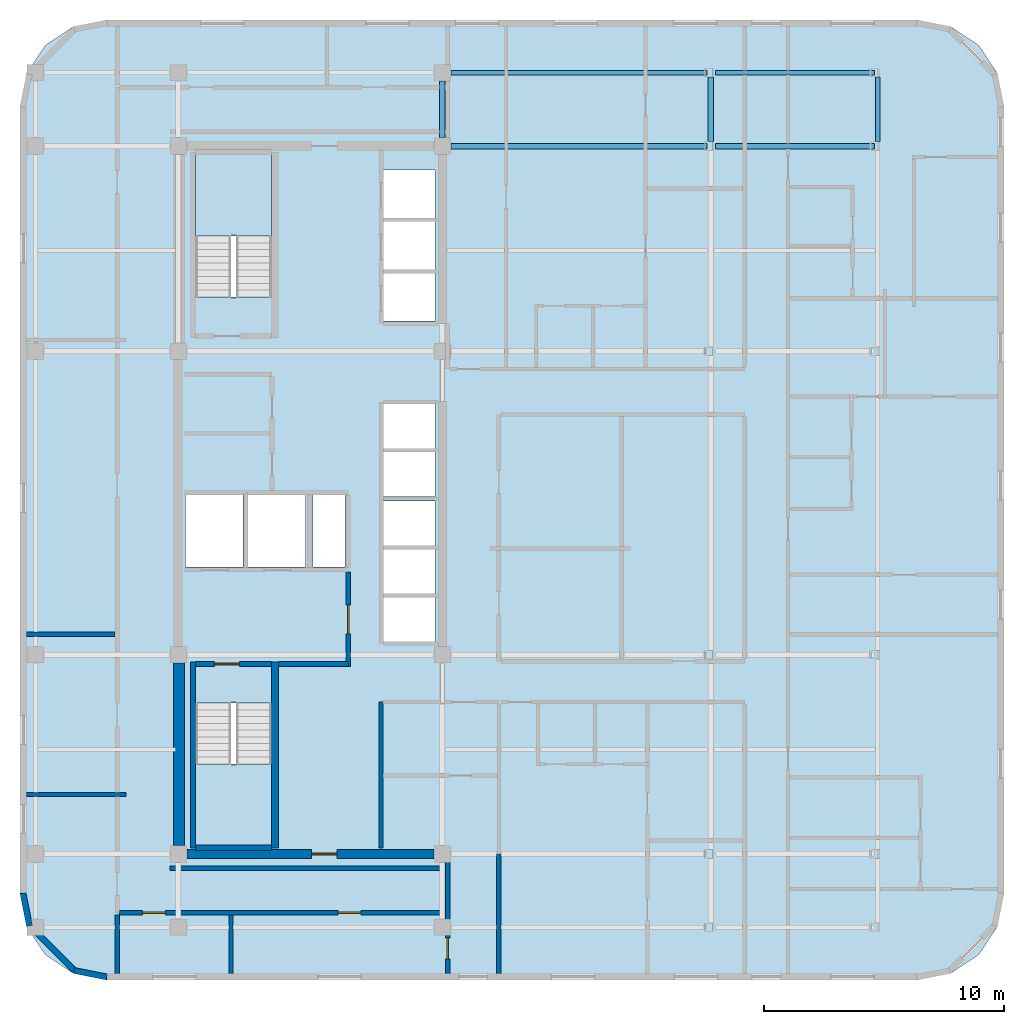
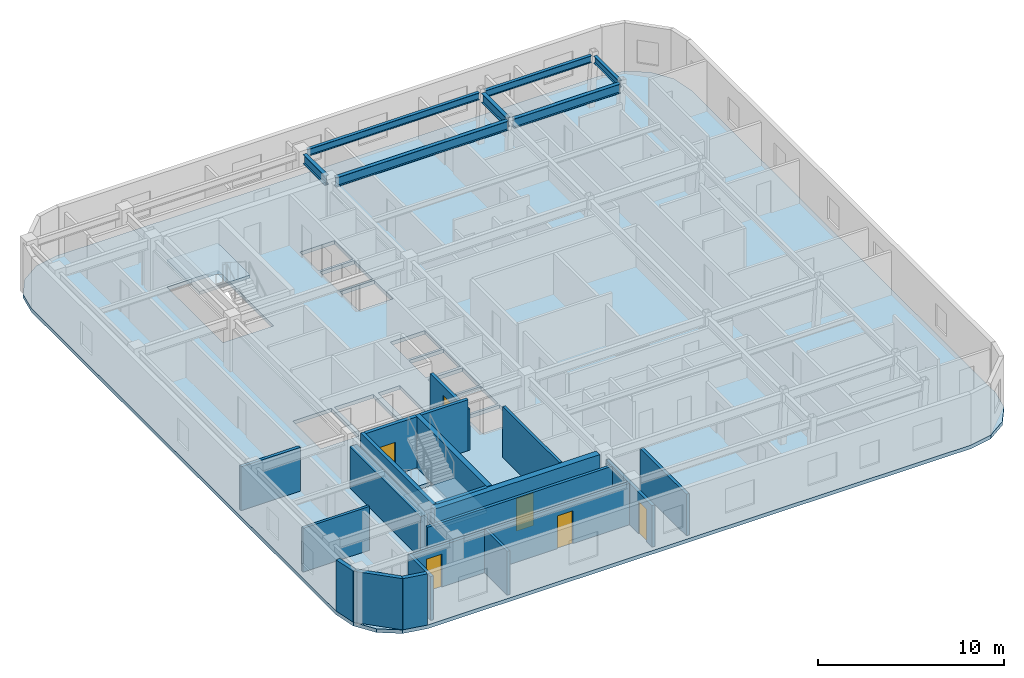
# One storey, part 2 of 8: 20 walls, 7 beams, 6 doors, 3 slabs, 6 openings, 2 elements without a shape of their own.
"""IFC4 building model written with IfcOpenShell, lengths in metres."""

from ifc_helpers import new_model, si_unit, direction, frame, frame_2d, origin, origin_2d, place, context, subcontext, project, spatial, polyline, rectangle, i_section, outline, extrude, material, layer, layer_set, material_profile, profile_set, type_object, element, fill, aggregate, save


model = new_model("IFC4")

# Units and contexts
model_context = context("Model", 3, precision=1e-05, world=origin(), true_north=direction((0.0, 1.0)))
body_context = subcontext(model_context, "Body", "Model", "MODEL_VIEW")
ifc_project = project(units=[si_unit("LENGTHUNIT", "METRE"), si_unit("AREAUNIT", "SQUARE_METRE"), si_unit("VOLUMEUNIT", "CUBIC_METRE"), si_unit("PLANEANGLEUNIT", "RADIAN"), si_unit("MASSUNIT", "GRAM", prefix="KILO")], contexts=[model_context])

# Site, building, storey
site_placement = place(None, origin())
site = spatial("IfcSite", under=ifc_project, at=site_placement, CompositionType="ELEMENT")
building_placement = place(site_placement, origin())
building = spatial("IfcBuilding", under=site, at=building_placement, Name="Ochreholt Gables", CompositionType="ELEMENT")
storey_placement = place(building_placement, frame((0.0, 0.0, 181.199951171875)))
storey = spatial("IfcBuildingStorey", under=building, at=storey_placement, Name="L47", CompositionType="ELEMENT", Elevation=181.199951171875)

# Beams
ifc_material_1 = material(Name="Steel CSA G40.21 350W", Category="steel")
ifc_material_profile_1 = material_profile(ifc_material_1, i_section(OverallWidth=0.22900390625, OverallDepth=0.612060546875, WebThickness=0.011962890625, FlangeThickness=0.01953125, at=origin_2d()), Name="W610X125")
ifc_profile_set_1 = profile_set([ifc_material_profile_1], Name="Steel CSA G40.21 350W")
beam_type_1 = type_object("IfcBeamType", Name="BM-G-W610B", PredefinedType="BEAM", material=ifc_profile_set_1)
beam_1_placement = place(storey_placement, frame((35.549560546875, 38.75, 3.053955078125), z_axis=(1.0, 0.0, 0.0), x_axis=(0.0, 1.0, 0.0)))
element("IfcBeam", 1, at=beam_1_placement, inside=storey, type_object=beam_type_1, Name="L47 Beam TBG-L47-C2EM-Y5", PredefinedType="BEAM", context=body_context, shape_type="SweptSolid", body=[
    extrude(i_section(OverallWidth=0.22900390625, OverallDepth=0.612060546875, WebThickness=0.011962890625, FlangeThickness=0.01953125, at=origin_2d()), origin(), (0.0, 0.0, 1.0), 10.6767578125),
])
beam_2_placement = place(storey_placement, frame((46.58154296875, 38.75, 3.053955078125), z_axis=(1.0, 0.0, 0.0), x_axis=(0.0, 1.0, 0.0)))
element("IfcBeam", 2, at=beam_2_placement, inside=storey, type_object=beam_type_1, Name="L47 Beam TBG-L47-EMEE-Y5", PredefinedType="BEAM", context=body_context, shape_type="SweptSolid", body=[
    extrude(i_section(OverallWidth=0.22900390625, OverallDepth=0.612060546875, WebThickness=0.011962890625, FlangeThickness=0.01953125, at=origin_2d()), origin(), (0.0, 0.0, 1.0), 6.615966796875),
])
beam_3_placement = place(storey_placement, frame((35.199951171875, 39.099609375, 3.053955078125), z_axis=(0.0, 1.0, 0.0), x_axis=(-1.0, 0.0, 0.0)))
element("IfcBeam", 3, at=beam_3_placement, inside=storey, type_object=beam_type_1, Name="L47 Beam TBN-L47-C2-Y5Y6", PredefinedType="BEAM", context=body_context, shape_type="SweptSolid", body=[
    extrude(i_section(OverallWidth=0.22900390625, OverallDepth=0.612060546875, WebThickness=0.011962890625, FlangeThickness=0.01953125, at=origin_2d()), origin(), (0.0, 0.0, 1.0), 2.350830078125),
])
beam_4_placement = place(storey_placement, frame((46.386962890625, 38.927490234375, 3.053955078125), z_axis=(0.0, 1.0, 0.0), x_axis=(-1.0, 0.0, 0.0)))
element("IfcBeam", 4, at=beam_4_placement, inside=storey, type_object=beam_type_1, Name="L47 Beam TBN-L47-EM-Y5Y6", PredefinedType="BEAM", context=body_context, shape_type="SweptSolid", body=[
    extrude(i_section(OverallWidth=0.22900390625, OverallDepth=0.612060546875, WebThickness=0.011962890625, FlangeThickness=0.01953125, at=origin_2d()), origin(), (0.0, 0.0, 1.0), 2.69482421875),
])
ifc_material_profile_2 = material_profile(ifc_material_1, i_section(OverallWidth=0.19189453125, OverallDepth=0.462890625, WebThickness=0.010498046875, FlangeThickness=0.017578125, at=origin_2d()), Name="W460X89")
ifc_profile_set_2 = profile_set([ifc_material_profile_2], Name="Steel CSA G40.21 350W")
beam_type_2 = type_object("IfcBeamType", Name="BM-SP-W460A", PredefinedType="SPANDREL", material=ifc_profile_set_2)
beam_5_placement = place(storey_placement, frame((35.549560546875, 41.800048828125, 3.128662109375), z_axis=(1.0, 0.0, 0.0), x_axis=(0.0, 1.0, 0.0)))
element("IfcBeam", 5, at=beam_5_placement, inside=storey, type_object=beam_type_2, Name="L47 Beam TBG-L47-C2EM-Y6", PredefinedType="SPANDREL", context=body_context, shape_type="SweptSolid", body=[
    extrude(i_section(OverallWidth=0.19189453125, OverallDepth=0.462890625, WebThickness=0.010498046875, FlangeThickness=0.017578125, at=origin_2d()), origin(), (0.0, 0.0, 1.0), 10.6767578125),
])
beam_6_placement = place(storey_placement, frame((46.58154296875, 41.800048828125, 3.128662109375), z_axis=(1.0, 0.0, 0.0), x_axis=(0.0, 1.0, 0.0)))
element("IfcBeam", 6, at=beam_6_placement, inside=storey, type_object=beam_type_2, Name="L47 Beam TBG-L47-EMEE-Y6", PredefinedType="SPANDREL", context=body_context, shape_type="SweptSolid", body=[
    extrude(i_section(OverallWidth=0.19189453125, OverallDepth=0.462890625, WebThickness=0.010498046875, FlangeThickness=0.017578125, at=origin_2d()), origin(), (0.0, 0.0, 1.0), 6.615966796875),
])
beam_7_placement = place(storey_placement, frame((53.3466796875, 38.927490234375, 3.128662109375), z_axis=(0.0, 1.0, 0.0), x_axis=(-1.0, 0.0, 0.0)))
element("IfcBeam", 7, at=beam_7_placement, inside=storey, type_object=beam_type_2, Name="L47 Beam TBN-L47-EE-Y5Y6", PredefinedType="SPANDREL", context=body_context, shape_type="SweptSolid", body=[
    extrude(i_section(OverallWidth=0.19189453125, OverallDepth=0.462890625, WebThickness=0.010498046875, FlangeThickness=0.017578125, at=origin_2d()), origin(), (0.0, 0.0, 1.0), 2.69482421875),
])

# Stair, slab
ifc_material_2 = material(Name="Concrete 40 MPa", Category="concrete")
stair_type_1 = type_object("IfcStairType", Name="STAIR-CORE-ST-1", PredefinedType="HALF_TURN_STAIR", material=ifc_material_2)
stair_1_placement = place(storey_placement, origin())
stair_1 = element("IfcStair", 8, at=stair_1_placement, inside=storey, type_object=stair_type_1, Name="L47 Core Exit Stair 1", PredefinedType="HALF_TURN_STAIR")
ifc_layer_1 = layer(ifc_material_2, 0.199951171875, Name="Concrete 40 MPa")
ifc_layer_set_1 = layer_set([ifc_layer_1], Name="Concrete 40 MPa")
slab_type_1 = type_object("IfcSlabType", Name="LANDING-RC200", PredefinedType="LANDING", material=ifc_layer_set_1)
slab_1_placement = place(storey_placement, frame((0.0, 0.0, 1.60009765625)))
slab_1 = element("IfcSlab", 9, at=slab_1_placement, type_object=slab_type_1, Name="ST-1 landing 1", PredefinedType="LANDING", context=body_context, shape_type="SweptSolid", body=[
    extrude(outline(polyline([(24.919921875, 13.001953125), (24.919921875, 9.52001953125), (28.080078125, 9.52001953125), (28.080078125, 13.001953125), (24.919921875, 13.001953125)])), origin(), (0.0, 0.0, 1.0), 0.199951171875),
])
aggregate(stair_1, [slab_1])

stair_type_2 = type_object("IfcStairType", Name="STAIR-CORE-ST-2", PredefinedType="HALF_TURN_STAIR", material=ifc_material_2)
stair_2_placement = place(storey_placement, origin())
stair_2 = element("IfcStair", 10, at=stair_2_placement, inside=storey, type_object=stair_type_2, Name="L47 Core Exit Stair 2", PredefinedType="HALF_TURN_STAIR")
slab_2_placement = place(storey_placement, frame((0.0, 0.0, 1.60009765625)))
slab_2 = element("IfcSlab", 11, at=slab_2_placement, type_object=slab_type_1, Name="ST-2 landing 1", PredefinedType="LANDING", context=body_context, shape_type="SweptSolid", body=[
    extrude(outline(polyline([(28.080078125, 34.998046875), (28.080078125, 38.47998046875), (24.919921875, 38.47998046875), (24.919921875, 34.998046875), (28.080078125, 34.998046875)])), origin(), (0.0, 0.0, 1.0), 0.199951171875),
])
aggregate(stair_2, [slab_2])

# Slab
ifc_layer_2 = layer(ifc_material_2, 0.239990234375, Name="Concrete 40 MPa")
ifc_layer_set_2 = layer_set([ifc_layer_2], Name="Concrete 40 MPa")
slab_type_2 = type_object("IfcSlabType", Name="SLAB-TWR-240", PredefinedType="FLOOR", material=ifc_layer_set_2)
slab_3_placement = place(storey_placement, frame((0.0, 0.0, -0.239990234375)))
element("IfcSlab", 12, at=slab_3_placement, inside=storey, type_object=slab_type_2, Name="L47 Structural Floor Slab", PredefinedType="FLOOR", context=body_context, shape_type="SweptSolid", body=[
    extrude(outline(polyline([(17.60009765625, 7.60009765625), (17.8740234375, 6.222412109375), (18.654296875, 5.054443359375), (19.822265625, 4.27392578125), (21.199951171875, 4.0), (55.0, 4.0), (56.377685546875, 4.27392578125), (57.545654296875, 5.054443359375), (58.325927734375, 6.222412109375), (58.60009765625, 7.60009765625), (58.60009765625, 40.39990234375), (58.325927734375, 41.777587890625), (57.545654296875, 42.945556640625), (56.377685546875, 43.72607421875), (55.0, 44.0), (21.199951171875, 44.0), (19.822265625, 43.72607421875), (18.654296875, 42.945556640625), (17.8740234375, 41.777587890625), (17.60009765625, 40.39990234375), (17.60009765625, 7.60009765625)]), holes=[polyline([(24.919921875, 15.539306640625), (24.919921875, 9.52001953125), (28.080078125, 9.52001953125), (28.080078125, 15.539306640625), (24.919921875, 15.539306640625)]), polyline([(28.080078125, 32.460693359375), (28.080078125, 38.47998046875), (24.919921875, 38.47998046875), (24.919921875, 32.460693359375), (28.080078125, 32.460693359375)]), polyline([(24.5, 21.199951171875), (26.89990234375, 21.199951171875), (26.89990234375, 24.199951171875), (24.5, 24.199951171875), (24.5, 21.199951171875)]), polyline([(27.10009765625, 21.199951171875), (29.5, 21.199951171875), (29.5, 24.199951171875), (27.10009765625, 24.199951171875), (27.10009765625, 21.199951171875)]), polyline([(32.75, 18.10009765625), (34.89990234375, 18.10009765625), (34.89990234375, 19.949951171875), (32.75, 19.949951171875), (32.75, 18.10009765625)]), polyline([(32.75, 20.10009765625), (34.89990234375, 20.10009765625), (34.89990234375, 21.949951171875), (32.75, 21.949951171875), (32.75, 20.10009765625)]), polyline([(32.75, 22.10009765625), (34.89990234375, 22.10009765625), (34.89990234375, 23.949951171875), (32.75, 23.949951171875), (32.75, 22.10009765625)]), polyline([(32.75, 24.14990234375), (34.89990234375, 24.14990234375), (34.89990234375, 26.0), (32.75, 26.0), (32.75, 24.14990234375)]), polyline([(32.75, 26.14990234375), (34.89990234375, 26.14990234375), (34.89990234375, 28.0), (32.75, 28.0), (32.75, 26.14990234375)]), polyline([(32.75, 31.449951171875), (34.89990234375, 31.449951171875), (34.89990234375, 33.449951171875), (32.75, 33.449951171875), (32.75, 31.449951171875)]), polyline([(32.75, 33.60009765625), (34.89990234375, 33.60009765625), (34.89990234375, 35.60009765625), (32.75, 35.60009765625), (32.75, 33.60009765625)]), polyline([(32.75, 35.75), (34.89990234375, 35.75), (34.89990234375, 37.75), (32.75, 37.75), (32.75, 35.75)]), polyline([(29.800048828125, 21.199951171875), (31.14990234375, 21.199951171875), (31.14990234375, 24.199951171875), (29.800048828125, 24.199951171875), (29.800048828125, 21.199951171875)])]), origin(), (0.0, 0.0, 1.0), 0.239990234375),
])

# Wall, opening, door
ifc_material_3 = material(Name="Concrete 50 MPa", Category="concrete")
ifc_layer_3 = layer(ifc_material_3, 0.3798828125, Name="Concrete 50 MPa")
ifc_layer_set_3 = layer_set([ifc_layer_3], Name="Concrete 50 MPa")
wall_type_1 = type_object("IfcWallType", Name="WALL-CSW-380", PredefinedType="SHEAR", material=ifc_layer_set_3)
wall_1_placement = place(storey_placement, frame((24.550048828125, 9.25, 0.0), z_axis=(0.0, 0.0, 1.0), x_axis=(1.0, 0.0, 0.0)))
wall_1 = element("IfcWall", 13, at=wall_1_placement, inside=storey, type_object=wall_type_1, Name="L47 Core South Shear Wall", PredefinedType="SHEAR", context=body_context, shape_type="SweptSolid", body=[
    extrude(rectangle(XDim=10.300048828125, YDim=0.3798828125, at=frame_2d((5.14990234375, 0.0))), origin(), (0.0, 0.0, 1.0), 3.360107421875),
])
opening_1_placement = place(wall_1_placement, frame((5.199951171875, 0.0, 0.0)))
opening_1 = element("IfcOpeningElement", 14, at=opening_1_placement, cuts=wall_1, Name="Opening D-FLB", PredefinedType="OPENING", context=body_context, shape_type="SweptSolid", body=[
    extrude(rectangle(XDim=1.050048828125, YDim=2.14990234375, at=frame_2d((0.52490234375, 1.074951171875))), frame((0.0, 0.199951171875, 0.0), z_axis=(0.0, -1.0, 0.0), x_axis=(1.0, 0.0, 0.0)), (0.0, 0.0, 1.0), 0.39990234375),
])
ifc_material_4 = material(Name="Hollow Metal Steel", Category="steel")
door_type_1 = type_object("IfcDoorType", Name="DR-INT-FLB1050", OperationType="NOTDEFINED", PredefinedType="DOOR", material=ifc_material_4)
door_1_placement = place(opening_1_placement, origin())
door_1 = element("IfcDoor", 15, at=door_1_placement, inside=storey, type_object=door_type_1, Name="L47 Door D-C2CRS-L47", OperationType="SINGLE_SWING_LEFT", OverallHeight=2.14990234375, OverallWidth=1.050048828125, PredefinedType="DOOR", context=body_context, shape_type="SweptSolid", body=[
    extrude(rectangle(XDim=1.050048828125, YDim=2.14990234375, at=frame_2d((0.52490234375, 1.074951171875))), frame((0.0, 0.02490234375, 0.0), z_axis=(0.0, -1.0, 0.0), x_axis=(1.0, 0.0, 0.0)), (0.0, 0.0, 1.0), 0.050048828125),
])
fill(opening_1, door_1)

# Walls
ifc_material_5 = material(Name="Concrete 60 MPa", Category="concrete")
ifc_layer_4 = layer(ifc_material_5, 0.449951171875, Name="Concrete 60 MPa")
ifc_layer_set_4 = layer_set([ifc_layer_4], Name="Concrete 60 MPa")
wall_type_2 = type_object("IfcWallType", Name="WALL-CSW-450", PredefinedType="SHEAR", material=ifc_layer_set_4)
wall_2_placement = place(storey_placement, frame((24.22509765625, 9.60009765625, 0.0), z_axis=(0.0, 0.0, 1.0), x_axis=(0.0, 1.0, 0.0)))
element("IfcWall", 16, at=wall_2_placement, inside=storey, type_object=wall_type_2, Name="L47 Core West Shear Wall WS", PredefinedType="SHEAR", context=body_context, shape_type="SweptSolid", body=[
    extrude(rectangle(XDim=7.599853515625, YDim=0.449951171875, at=frame_2d((3.7998046875, 0.0))), origin(), (0.0, 0.0, 1.0), 2.748046875),
])
ifc_material_6 = material(Name="Precast concrete 40 MPa", Category="concrete")
ifc_layer_5 = layer(ifc_material_6, 0.25, Name="Precast concrete 40 MPa")
ifc_layer_set_5 = layer_set([ifc_layer_5], Name="Precast concrete 40 MPa")
wall_type_3 = type_object("IfcWallType", Name="WALL-EXT-CNR", PredefinedType="SOLIDWALL", material=ifc_layer_set_5)
wall_3_placement = place(storey_placement, frame((17.72412109375, 7.616455078125, 0.0), z_axis=(0.0, 0.0, 1.0), x_axis=(0.195135625965, -0.9807762678, 0.0)))
element("IfcWall", 17, at=wall_3_placement, inside=storey, type_object=wall_type_3, Name="L47 Rounded Corner Wall SW-1", PredefinedType="SOLIDWALL", context=body_context, shape_type="SweptSolid", body=[
    extrude(rectangle(XDim=1.388671875, YDim=0.25, at=frame_2d((0.6943359375, 0.0))), origin(), (0.0, 0.0, 1.0), 3.360107421875),
])
wall_4_placement = place(storey_placement, frame((17.968017578125, 6.304931640625, 0.0), z_axis=(0.0, 0.0, 1.0), x_axis=(0.707106781187, -0.707106781187, 0.0)))
element("IfcWall", 18, at=wall_4_placement, inside=storey, type_object=wall_type_3, Name="L47 Rounded Corner Wall SW-2", PredefinedType="SOLIDWALL", context=body_context, shape_type="SweptSolid", body=[
    extrude(rectangle(XDim=2.7392578125, YDim=0.25, at=frame_2d((1.36962890625, 0.0))), origin(), (0.0, 0.0, 1.0), 3.360107421875),
])
wall_5_placement = place(storey_placement, frame((19.8544921875, 4.39501953125, 0.0), z_axis=(0.0, 0.0, 1.0), x_axis=(0.980809899341, -0.19496651342, 0.0)))
element("IfcWall", 19, at=wall_5_placement, inside=storey, type_object=wall_type_3, Name="L47 Rounded Corner Wall SW-3", PredefinedType="SOLIDWALL", context=body_context, shape_type="SweptSolid", body=[
    extrude(rectangle(XDim=1.388671875, YDim=0.25, at=frame_2d((0.6943359375, 0.0))), origin(), (0.0, 0.0, 1.0), 3.360107421875),
])
ifc_layer_6 = layer(ifc_material_2, 0.199951171875, Name="Concrete 40 MPa")
ifc_layer_set_6 = layer_set([ifc_layer_6], Name="Concrete 40 MPa")
wall_type_4 = type_object("IfcWallType", Name="WALL-INT-CF200", PredefinedType="STANDARD", material=ifc_layer_set_6)
wall_6_placement = place(storey_placement, frame((28.3798828125, 17.169921875, 0.0), z_axis=(0.0, 0.0, 1.0), x_axis=(1.0, 0.0, 0.0)))
element("IfcWall", 20, at=wall_6_placement, inside=storey, type_object=wall_type_4, Name="L47 Interior Wall WI-FFS-L47", PredefinedType="STANDARD", context=body_context, shape_type="SweptSolid", body=[
    extrude(rectangle(XDim=2.900146484375, YDim=0.199951171875, at=frame_2d((1.4501953125, 0.0))), origin(), (0.0, 0.0, 1.0), 3.360107421875),
])

# Wall, opening, door
wall_7_placement = place(storey_placement, frame((31.280029296875, 17.070068359375, 0.0), z_axis=(0.0, 0.0, 1.0), x_axis=(0.0, 1.0, 0.0)))
wall_7 = element("IfcWall", 21, at=wall_7_placement, inside=storey, type_object=wall_type_4, Name="L47 Interior Wall WI-FFE-L47", PredefinedType="STANDARD", context=body_context, shape_type="SweptSolid", body=[
    extrude(rectangle(XDim=3.919921875, YDim=0.199951171875, at=frame_2d((1.9599609375, 0.0))), origin(), (0.0, 0.0, 1.0), 2.72998046875),
])
opening_2_placement = place(wall_7_placement, frame((1.35009765625, 0.0, 0.0)))
opening_2 = element("IfcOpeningElement", 22, at=opening_2_placement, cuts=wall_7, Name="Opening D-FFL", PredefinedType="OPENING", context=body_context, shape_type="SweptSolid", body=[
    extrude(rectangle(XDim=1.199951171875, YDim=2.14990234375, at=frame_2d((0.60009765625, 1.074951171875))), frame((0.0, 0.10986328125, 0.0), z_axis=(0.0, -1.0, 0.0), x_axis=(1.0, 0.0, 0.0)), (0.0, 0.0, 1.0), 0.219970703125),
])
door_type_2 = type_object("IfcDoorType", Name="DR-INT-FFL1200", OperationType="NOTDEFINED", PredefinedType="DOOR", material=ifc_material_4)
door_2_placement = place(opening_2_placement, origin())
door_2 = element("IfcDoor", 23, at=door_2_placement, inside=storey, type_object=door_type_2, Name="L47 Door D-FFL-L47", OperationType="SINGLE_SWING_LEFT", OverallHeight=2.14990234375, OverallWidth=1.199951171875, PredefinedType="DOOR", context=body_context, shape_type="SweptSolid", body=[
    extrude(rectangle(XDim=1.199951171875, YDim=2.14990234375, at=frame_2d((0.60009765625, 1.074951171875))), frame((0.0, 0.02490234375, 0.0), z_axis=(0.0, -1.0, 0.0), x_axis=(1.0, 0.0, 0.0)), (0.0, 0.0, 1.0), 0.050048828125),
])
fill(opening_2, door_2)

# Wall, openings, doors
ifc_material_7 = material(Name="Fire-Rated Gypsum Acoustic Partition", Category="gypsum")
ifc_layer_7 = layer(ifc_material_7, 0.179931640625, Name="Fire-Rated Gypsum Acoustic Partition")
ifc_layer_set_7 = layer_set([ifc_layer_7], Name="Fire-Rated Gypsum Acoustic Partition")
wall_type_5 = type_object("IfcWallType", Name="WALL-INT-CR180", PredefinedType="STANDARD", material=ifc_layer_set_7)
wall_8_placement = place(storey_placement, frame((21.739990234375, 6.800048828125, 0.0), z_axis=(0.0, 0.0, 1.0), x_axis=(1.0, 0.0, 0.0)))
wall_8 = element("IfcWall", 24, at=wall_8_placement, inside=storey, type_object=wall_type_5, Name="L47 Interior Wall WI-C2WCS-L47", PredefinedType="STANDARD", context=body_context, shape_type="SweptSolid", body=[
    extrude(rectangle(XDim=13.679931640625, YDim=0.179931640625, at=frame_2d((6.83984375, 0.0))), origin(), (0.0, 0.0, 1.0), 2.72998046875),
])
opening_3_placement = place(wall_8_placement, frame((0.969970703125, 0.0, 0.0)))
opening_3 = element("IfcOpeningElement", 25, at=opening_3_placement, cuts=wall_8, Name="Opening D-GN1", PredefinedType="OPENING", context=body_context, shape_type="SweptSolid", body=[
    extrude(rectangle(XDim=0.949951171875, YDim=2.14990234375, at=frame_2d((0.47509765625, 1.074951171875))), frame((0.0, 0.099853515625, 0.0), z_axis=(0.0, -1.0, 0.0), x_axis=(1.0, 0.0, 0.0)), (0.0, 0.0, 1.0), 0.199951171875),
])
opening_4_placement = place(wall_8_placement, frame((9.110107421875, 0.0, 0.0)))
opening_4 = element("IfcOpeningElement", 26, at=opening_4_placement, cuts=wall_8, Name="Opening D-GN1", PredefinedType="OPENING", context=body_context, shape_type="SweptSolid", body=[
    extrude(rectangle(XDim=0.949951171875, YDim=2.14990234375, at=frame_2d((0.47509765625, 1.074951171875))), frame((0.0, 0.099853515625, 0.0), z_axis=(0.0, -1.0, 0.0), x_axis=(1.0, 0.0, 0.0)), (0.0, 0.0, 1.0), 0.199951171875),
])
ifc_material_8 = material(Name="Engineered Oak Timber", Category="wood")
door_type_3 = type_object("IfcDoorType", Name="DR-INT-GEN950", OperationType="NOTDEFINED", PredefinedType="DOOR", material=ifc_material_8)
door_3_placement = place(opening_3_placement, origin())
door_3 = element("IfcDoor", 27, at=door_3_placement, inside=storey, type_object=door_type_3, Name="L47 Door D-C2STL1-L47", OperationType="SINGLE_SWING_LEFT", OverallHeight=2.14990234375, OverallWidth=0.949951171875, PredefinedType="DOOR", context=body_context, shape_type="SweptSolid", body=[
    extrude(rectangle(XDim=0.949951171875, YDim=2.14990234375, at=frame_2d((0.47509765625, 1.074951171875))), frame((0.0, 0.02490234375, 0.0), z_axis=(0.0, -1.0, 0.0), x_axis=(1.0, 0.0, 0.0)), (0.0, 0.0, 1.0), 0.050048828125),
])
fill(opening_3, door_3)
door_4_placement = place(opening_4_placement, origin())
door_4 = element("IfcDoor", 28, at=door_4_placement, inside=storey, type_object=door_type_3, Name="L47 Door D-C2STL2-L47", OperationType="SINGLE_SWING_RIGHT", OverallHeight=2.14990234375, OverallWidth=0.949951171875, PredefinedType="DOOR", context=body_context, shape_type="SweptSolid", body=[
    extrude(rectangle(XDim=0.949951171875, YDim=2.14990234375, at=frame_2d((0.47509765625, 1.074951171875))), frame((0.0, 0.02490234375, 0.0), z_axis=(0.0, -1.0, 0.0), x_axis=(1.0, 0.0, 0.0)), (0.0, 0.0, 1.0), 0.050048828125),
])
fill(opening_4, door_4)

# Walls
wall_9_placement = place(storey_placement, frame((23.85009765625, 8.64990234375, 0.0), z_axis=(0.0, 0.0, 1.0), x_axis=(1.0, 0.0, 0.0)))
element("IfcWall", 29, at=wall_9_placement, inside=storey, type_object=wall_type_5, Name="L47 Interior Wall WI-C2WCS2-L47", PredefinedType="STANDARD", context=body_context, shape_type="SweptSolid", body=[
    extrude(rectangle(XDim=11.56982421875, YDim=0.179931640625, at=frame_2d((5.784912109375, 0.0))), origin(), (0.0, 0.0, 1.0), 2.72998046875),
])
ifc_material_9 = material(Name="Double-Stud Acoustic Demising Wall", Category="gypsum")
ifc_layer_8 = layer(ifc_material_9, 0.179931640625, Name="Double-Stud Acoustic Demising Wall")
ifc_layer_set_8 = layer_set([ifc_layer_8], Name="Double-Stud Acoustic Demising Wall")
wall_type_6 = type_object("IfcWallType", Name="WALL-INT-DM180", PredefinedType="PARTITIONING", material=ifc_layer_set_8)
wall_10_placement = place(storey_placement, frame((21.64990234375, 4.280029296875, 0.0), z_axis=(0.0, 0.0, 1.0), x_axis=(0.0, 1.0, 0.0)))
element("IfcWall", 30, at=wall_10_placement, inside=storey, type_object=wall_type_6, Name="L47 Interior Wall WI-C2WWS-L47", PredefinedType="PARTITIONING", context=body_context, shape_type="SweptSolid", body=[
    extrude(rectangle(XDim=2.429931640625, YDim=0.179931640625, at=frame_2d((1.21484375, 0.0))), origin(), (0.0, 0.0, 1.0), 2.879150390625),
])

# Wall, opening, door
wall_11_placement = place(storey_placement, frame((35.419921875, 4.280029296875, 0.0), z_axis=(0.0, 0.0, 1.0), x_axis=(0.0, 1.0, 0.0)))
wall_11 = element("IfcWall", 31, at=wall_11_placement, inside=storey, type_object=wall_type_6, Name="L47 Interior Wall WI-C2SES-L47", PredefinedType="PARTITIONING", context=body_context, shape_type="SweptSolid", body=[
    extrude(rectangle(XDim=4.969970703125, YDim=0.179931640625, at=frame_2d((2.48486328125, 0.0))), origin(), (0.0, 0.0, 1.0), 2.72998046875),
])
opening_5_placement = place(wall_11_placement, frame((0.590087890625, 0.0, 0.0)))
opening_5 = element("IfcOpeningElement", 32, at=opening_5_placement, cuts=wall_11, Name="Opening D-GN2", PredefinedType="OPENING", context=body_context, shape_type="SweptSolid", body=[
    extrude(rectangle(XDim=0.8798828125, YDim=2.1201171875, at=frame_2d((0.43994140625, 1.06005859375))), frame((0.0, 0.099853515625, 0.0), z_axis=(0.0, -1.0, 0.0), x_axis=(1.0, 0.0, 0.0)), (0.0, 0.0, 1.0), 0.199951171875),
])
door_type_4 = type_object("IfcDoorType", Name="DR-INT-GEN880", OperationType="NOTDEFINED", PredefinedType="DOOR", material=ifc_material_8)
door_5_placement = place(opening_5_placement, origin())
door_5 = element("IfcDoor", 33, at=door_5_placement, inside=storey, type_object=door_type_4, Name="L47 Door D-C2SPS-L47", OperationType="SINGLE_SWING_LEFT", OverallHeight=2.1201171875, OverallWidth=0.8798828125, PredefinedType="DOOR", context=body_context, shape_type="SweptSolid", body=[
    extrude(rectangle(XDim=0.8798828125, YDim=2.1201171875, at=frame_2d((0.43994140625, 1.06005859375))), frame((0.0, 0.02490234375, 0.0), z_axis=(0.0, -1.0, 0.0), x_axis=(1.0, 0.0, 0.0)), (0.0, 0.0, 1.0), 0.050048828125),
])
fill(opening_5, door_5)

# Walls
wall_12_placement = place(storey_placement, frame((37.550048828125, 4.280029296875, 0.0), z_axis=(0.0, 0.0, 1.0), x_axis=(0.0, 1.0, 0.0)))
element("IfcWall", 34, at=wall_12_placement, inside=storey, type_object=wall_type_6, Name="L47 Interior Wall WI-C2SEW2-L47", PredefinedType="PARTITIONING", context=body_context, shape_type="SweptSolid", body=[
    extrude(rectangle(XDim=4.969970703125, YDim=0.179931640625, at=frame_2d((2.48486328125, 0.0))), origin(), (0.0, 0.0, 1.0), 2.72998046875),
])
wall_13_placement = place(storey_placement, frame((17.8798828125, 18.39990234375, 0.0), z_axis=(0.0, 0.0, 1.0), x_axis=(1.0, 0.0, 0.0)))
element("IfcWall", 35, at=wall_13_placement, inside=storey, type_object=wall_type_6, Name="L47 Interior Wall WI-C2UDW2-L47", PredefinedType="PARTITIONING", context=body_context, shape_type="SweptSolid", body=[
    extrude(rectangle(XDim=3.68017578125, YDim=0.179931640625, at=frame_2d((1.840087890625, 0.0))), origin(), (0.0, 0.0, 1.0), 2.879150390625),
])
ifc_material_10 = material(Name="Gypsum Acoustic Stud Partition", Category="gypsum")
ifc_layer_9 = layer(ifc_material_10, 0.1650390625, Name="Gypsum Acoustic Stud Partition")
ifc_layer_set_9 = layer_set([ifc_layer_9], Name="Gypsum Acoustic Stud Partition")
wall_type_7 = type_object("IfcWallType", Name="WALL-INT-PT165", PredefinedType="PARTITIONING", material=ifc_layer_set_9)
wall_14_placement = place(storey_placement, frame((32.64990234375, 9.5, 0.0), z_axis=(0.0, 0.0, 1.0), x_axis=(0.0, 1.0, 0.0)))
element("IfcWall", 36, at=wall_14_placement, inside=storey, type_object=wall_type_7, Name="L47 Interior Wall WI-RCL-W-L47", PredefinedType="PARTITIONING", context=body_context, shape_type="SweptSolid", body=[
    extrude(rectangle(XDim=6.080078125, YDim=0.1650390625, at=frame_2d((3.0400390625, 0.0))), origin(), (0.0, 0.0, 1.0), 3.360107421875),
])
wall_15_placement = place(storey_placement, frame((17.8798828125, 11.72509765625, 0.0), z_axis=(0.0, 0.0, 1.0), x_axis=(1.0, 0.0, 0.0)))
element("IfcWall", 37, at=wall_15_placement, inside=storey, type_object=wall_type_7, Name="L47 Interior Wall WU-L47W1-SDV", PredefinedType="PARTITIONING", context=body_context, shape_type="SweptSolid", body=[
    extrude(rectangle(XDim=4.130126953125, YDim=0.1650390625, at=frame_2d((2.06494140625, 0.0))), origin(), (0.0, 0.0, 1.0), 2.879150390625),
])
wall_16_placement = place(storey_placement, frame((26.39990234375, 4.280029296875, 0.0), z_axis=(0.0, 0.0, 1.0), x_axis=(0.0, 1.0, 0.0)))
element("IfcWall", 38, at=wall_16_placement, inside=storey, type_object=wall_type_7, Name="L47 Interior Wall WI-C2PKS-L47", PredefinedType="PARTITIONING", context=body_context, shape_type="SweptSolid", body=[
    extrude(rectangle(XDim=2.429931640625, YDim=0.1650390625, at=frame_2d((1.21484375, 0.0))), origin(), (0.0, 0.0, 1.0), 2.879150390625),
])
ifc_layer_10 = layer(ifc_material_5, 0.300048828125, Name="Concrete 60 MPa")
ifc_layer_set_10 = layer_set([ifc_layer_10], Name="Concrete 60 MPa")
wall_type_8 = type_object("IfcWallType", Name="WALL-SPN-300", PredefinedType="SHEAR", material=ifc_layer_set_10)
wall_17_placement = place(storey_placement, frame((28.22998046875, 9.5, 0.0), z_axis=(0.0, 0.0, 1.0), x_axis=(0.0, 1.0, 0.0)))
element("IfcWall", 39, at=wall_17_placement, inside=storey, type_object=wall_type_8, Name="L47 Core South Spine Shear Wall", PredefinedType="SHEAR", context=body_context, shape_type="SweptSolid", body=[
    extrude(rectangle(XDim=7.760009765625, YDim=0.300048828125, at=frame_2d((3.8798828125, 0.0))), origin(), (0.0, 0.0, 1.0), 3.360107421875),
])
ifc_layer_11 = layer(ifc_material_3, 0.219970703125, Name="Concrete 50 MPa")
ifc_layer_set_11 = layer_set([ifc_layer_11], Name="Concrete 50 MPa")
wall_type_9 = type_object("IfcWallType", Name="WALL-STW-220", PredefinedType="SHEAR", material=ifc_layer_set_11)
wall_18_placement = place(storey_placement, frame((24.81005859375, 9.5, 0.0), z_axis=(0.0, 0.0, 1.0), x_axis=(0.0, 1.0, 0.0)))
element("IfcWall", 40, at=wall_18_placement, inside=storey, type_object=wall_type_9, Name="L47 Exit Stair 1 West Wall", PredefinedType="SHEAR", context=body_context, shape_type="SweptSolid", body=[
    extrude(rectangle(XDim=7.760009765625, YDim=0.219970703125, at=frame_2d((3.8798828125, 0.0))), origin(), (0.0, 0.0, 1.0), 3.360107421875),
])
wall_19_placement = place(storey_placement, frame((24.919921875, 9.510009765625, 0.0), z_axis=(0.0, 0.0, 1.0), x_axis=(1.0, 0.0, 0.0)))
element("IfcWall", 41, at=wall_19_placement, inside=storey, type_object=wall_type_9, Name="L47 Exit Stair 1 South Wall", PredefinedType="SHEAR", context=body_context, shape_type="SweptSolid", body=[
    extrude(rectangle(XDim=3.16015625, YDim=0.219970703125, at=frame_2d((1.580078125, 0.0))), origin(), (0.0, 0.0, 1.0), 3.360107421875),
])

# Wall, opening, door
wall_20_placement = place(storey_placement, frame((24.919921875, 17.169921875, 0.0), z_axis=(0.0, 0.0, 1.0), x_axis=(1.0, 0.0, 0.0)))
wall_20 = element("IfcWall", 42, at=wall_20_placement, inside=storey, type_object=wall_type_9, Name="L47 Exit Stair 1 North Wall", PredefinedType="SHEAR", context=body_context, shape_type="SweptSolid", body=[
    extrude(rectangle(XDim=3.16015625, YDim=0.219970703125, at=frame_2d((1.580078125, 0.0))), origin(), (0.0, 0.0, 1.0), 3.360107421875),
])
opening_6_placement = place(wall_20_placement, frame((0.780029296875, 0.0, 0.0)))
opening_6 = element("IfcOpeningElement", 43, at=opening_6_placement, cuts=wall_20, Name="Opening D-STC", PredefinedType="OPENING", context=body_context, shape_type="SweptSolid", body=[
    extrude(rectangle(XDim=1.050048828125, YDim=2.14990234375, at=frame_2d((0.52490234375, 1.074951171875))), frame((0.0, 0.119873046875, 0.0), z_axis=(0.0, -1.0, 0.0), x_axis=(1.0, 0.0, 0.0)), (0.0, 0.0, 1.0), 0.239990234375),
])
door_type_5 = type_object("IfcDoorType", Name="DR-INT-ST1050", OperationType="NOTDEFINED", PredefinedType="DOOR", material=ifc_material_4)
door_6_placement = place(opening_6_placement, frame((1.050048828125, 0.0, 0.0), z_axis=(0.0, 0.0, 1.0), x_axis=(-1.0, 0.0, 0.0)))
door_6 = element("IfcDoor", 44, at=door_6_placement, inside=storey, type_object=door_type_5, Name="L47 Door D-ST1-L47", OperationType="SINGLE_SWING_LEFT", OverallHeight=2.14990234375, OverallWidth=1.050048828125, PredefinedType="DOOR", context=body_context, shape_type="SweptSolid", body=[
    extrude(rectangle(XDim=1.050048828125, YDim=2.14990234375, at=frame_2d((0.52490234375, 1.074951171875))), frame((0.0, 0.02490234375, 0.0), z_axis=(0.0, -1.0, 0.0), x_axis=(1.0, 0.0, 0.0)), (0.0, 0.0, 1.0), 0.050048828125),
])
fill(opening_6, door_6)

save(model, "model.ifc")
